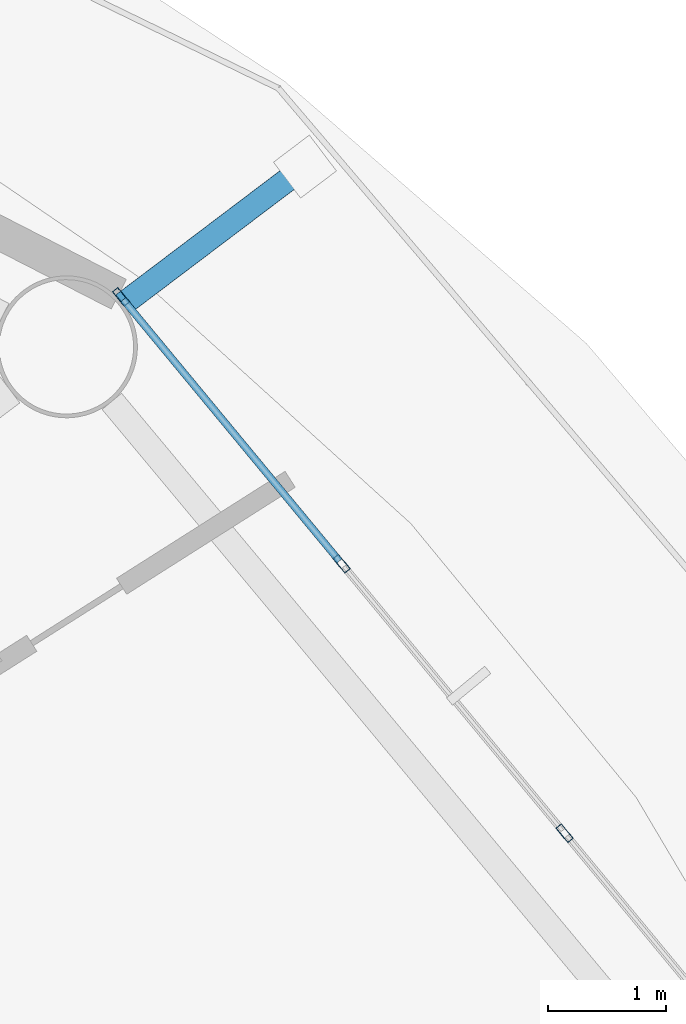
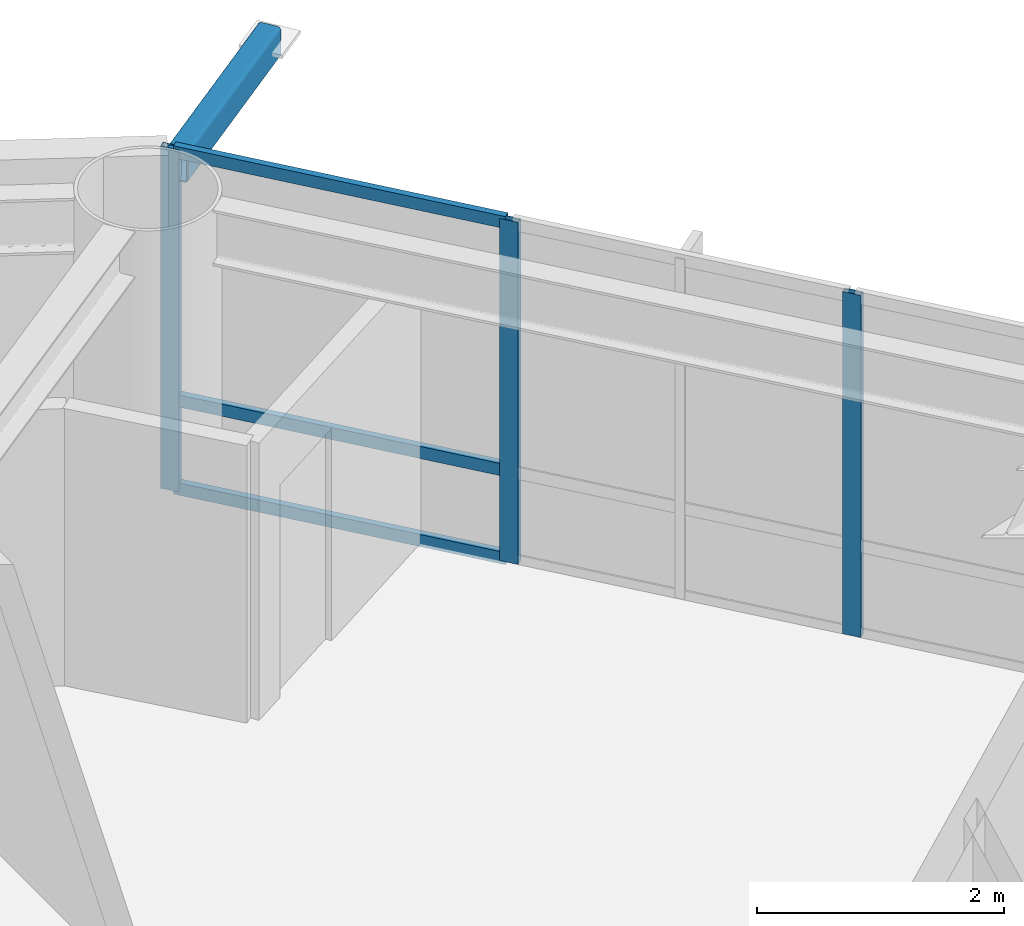
# One storey, part 15 of 27: 7 members, 1 element without a shape of its own.
"""IFC4 building model written with IfcOpenShell, lengths in metres."""

from ifc_helpers import new_model, si_unit, direction, frame, origin, origin_2d, place, context, subcontext, project, spatial, hollow_rectangle, extrude, material, layer, layer_set, material_profile, profile_set, type_object, element, aggregate, save


model = new_model("IFC4")

# Units and contexts
model_context = context("Model", 3, precision=1e-05, world=origin(), true_north=direction((0.0, 1.0)))
body_context = subcontext(model_context, "Body", "Model", "MODEL_VIEW")
ifc_project = project(units=[si_unit("LENGTHUNIT", "METRE"), si_unit("AREAUNIT", "SQUARE_METRE"), si_unit("VOLUMEUNIT", "CUBIC_METRE"), si_unit("PLANEANGLEUNIT", "RADIAN"), si_unit("MASSUNIT", "GRAM", prefix="KILO")], contexts=[model_context])

# Site, building, storey
site_placement = place(None, origin())
site = spatial("IfcSite", under=ifc_project, at=site_placement, CompositionType="ELEMENT")
building_placement = place(site_placement, origin())
building = spatial("IfcBuilding", under=site, at=building_placement, Name="Sarneth Arch Tower", CompositionType="ELEMENT")
storey_placement = place(building_placement, frame((0.0, 0.0, 186.60009765625)))
storey = spatial("IfcBuildingStorey", under=building, at=storey_placement, Name="L47", CompositionType="ELEMENT", Elevation=186.60009765625)

# Curtain wall, members
ifc_material_1 = material(Name="Anodised aluminium Type AA25 and solar-control low-e laminated IGU", Category="aluminium")
ifc_layer = layer(ifc_material_1, 0.169921875)
ifc_layer_set = layer_set([ifc_layer], Name="Anodised aluminium Type AA25 and solar-control low-e laminated IGU")
curtain_wall_type = type_object("IfcCurtainWallType", Name="CW-RES-MID", PredefinedType="NOTDEFINED", material=ifc_layer_set)
curtain_wall_placement = place(storey_placement, origin())
curtain_wall = element("IfcCurtainWall", 1, at=curtain_wall_placement, inside=storey, type_object=curtain_wall_type, Name="L47 Unitised curtain wall facet 02", PredefinedType="NOTDEFINED")
ifc_material_2 = material(Name="Anodised Aluminium 6063-T6", Category="aluminium")
ifc_material_profile_1 = material_profile(ifc_material_2, hollow_rectangle(XDim=0.06005859375, YDim=0.159912109375, WallThickness=0.00390625, at=origin_2d()), Name="AL-MULL-160x60x4")
ifc_profile_set_1 = profile_set([ifc_material_profile_1], Name="Anodised Aluminium 6063-T6")
member_type_1 = type_object("IfcMemberType", Name="CW-MULLION", PredefinedType="MULLION", material=ifc_profile_set_1)
member_1_placement = place(storey_placement, frame((71.346923828125, 52.3466796875, 0.0), z_axis=(0.0, 0.0, 1.0), x_axis=(-0.770590741276, -0.637330298558, 0.0)))
member_1 = element("IfcMember", 2, at=member_1_placement, type_object=member_type_1, Name="CW-SYS-5 mullion 2", PredefinedType="MULLION", context=body_context, shape_type="SweptSolid", body=[
    extrude(hollow_rectangle(XDim=0.06005859375, YDim=0.159912109375, WallThickness=0.00390625, at=origin_2d()), origin(), (0.0, 0.0, 1.0), 3.3798828125),
])
member_2_placement = place(storey_placement, frame((69.46142578125, 54.626220703125, 0.0), z_axis=(0.0, 0.0, 1.0), x_axis=(-0.770590741276, -0.637330298558, 0.0)))
member_2 = element("IfcMember", 3, at=member_2_placement, type_object=member_type_1, Name="CW-SYS-5 mullion 3", PredefinedType="MULLION", context=body_context, shape_type="SweptSolid", body=[
    extrude(hollow_rectangle(XDim=0.06005859375, YDim=0.159912109375, WallThickness=0.00390625, at=origin_2d()), origin(), (0.0, 0.0, 1.0), 3.3798828125),
])
member_3_placement = place(storey_placement, frame((67.59521484375, 56.8828125, 0.0), z_axis=(0.0, 0.0, 1.0), x_axis=(-0.770590741276, -0.637330298558, 0.0)))
member_3 = element("IfcMember", 4, at=member_3_placement, type_object=member_type_1, Name="CW-SYS-5 mullion 4", PredefinedType="MULLION", context=body_context, shape_type="SweptSolid", body=[
    extrude(hollow_rectangle(XDim=0.06005859375, YDim=0.159912109375, WallThickness=0.00390625, at=origin_2d()), origin(), (0.0, 0.0, 1.0), 3.3798828125),
])
ifc_material_3 = material(Name="Anodised Aluminium 6063-T6", Category="aluminium")
ifc_material_profile_2 = material_profile(ifc_material_3, hollow_rectangle(XDim=0.06005859375, YDim=0.1201171875, WallThickness=0.00390625, at=origin_2d()), Name="AL-TRAN-120x60x4")
ifc_profile_set_2 = profile_set([ifc_material_profile_2], Name="Anodised Aluminium 6063-T6")
member_type_2 = type_object("IfcMemberType", Name="CW-TRANSOM", PredefinedType="USERDEFINED", material=ifc_profile_set_2)
member_4_placement = place(storey_placement, frame((69.4423828125, 54.6494140625, 0.02978515625), z_axis=(-0.637358651504, 0.770567290607, 0.0), x_axis=(-0.770567290607, -0.637358651504, 0.0)))
member_4 = element("IfcMember", 5, at=member_4_placement, type_object=member_type_2, Name="CW-SYS-5 transom 3.1", ObjectType="TRANSOM", PredefinedType="USERDEFINED", context=body_context, shape_type="SweptSolid", body=[
    extrude(hollow_rectangle(XDim=0.06005859375, YDim=0.1201171875, WallThickness=0.00390625, at=origin_2d()), origin(), (0.0, 0.0, 1.0), 2.8681640625),
])
member_5_placement = place(storey_placement, frame((69.4423828125, 54.6494140625, 0.89990234375), z_axis=(-0.637358651504, 0.770567290607, 0.0), x_axis=(-0.770567290607, -0.637358651504, 0.0)))
member_5 = element("IfcMember", 6, at=member_5_placement, type_object=member_type_2, Name="CW-SYS-5 transom 3.2", ObjectType="TRANSOM", PredefinedType="USERDEFINED", context=body_context, shape_type="SweptSolid", body=[
    extrude(hollow_rectangle(XDim=0.06005859375, YDim=0.1201171875, WallThickness=0.00390625, at=origin_2d()), origin(), (0.0, 0.0, 1.0), 2.8681640625),
])
member_6_placement = place(storey_placement, frame((69.4423828125, 54.6494140625, 3.349853515625), z_axis=(-0.637358651504, 0.770567290607, 0.0), x_axis=(-0.770567290607, -0.637358651504, 0.0)))
member_6 = element("IfcMember", 7, at=member_6_placement, type_object=member_type_2, Name="CW-SYS-5 transom 3.3", ObjectType="TRANSOM", PredefinedType="USERDEFINED", context=body_context, shape_type="SweptSolid", body=[
    extrude(hollow_rectangle(XDim=0.06005859375, YDim=0.1201171875, WallThickness=0.00390625, at=origin_2d()), origin(), (0.0, 0.0, 1.0), 2.8681640625),
])
aggregate(curtain_wall, [member_1, member_2, member_3, member_4, member_5, member_6])

# Member
ifc_material_4 = material(Name="Steel S355", Category="steel")
ifc_material_profile_3 = material_profile(ifc_material_4, hollow_rectangle(XDim=0.199951171875, YDim=0.300048828125, WallThickness=0.012451171875, InnerFilletRadius=0.018798828125, OuterFilletRadius=0.03125, at=origin_2d()), Name="RHS300x200x12.5")
ifc_profile_set_3 = profile_set([ifc_material_profile_3], Name="Steel S355")
member_type_3 = type_object("IfcMemberType", Name="MEM-CANT-STRUT", PredefinedType="STRUT", material=ifc_profile_set_3)
member_7_placement = place(storey_placement, frame((67.612548828125, 56.822021484375, 3.219970703125), z_axis=(0.797715767172, 0.603033626596, 0.0), x_axis=(-0.603033626596, 0.797715767172, 0.0)))
element("IfcMember", 8, at=member_7_placement, inside=storey, type_object=member_type_3, Name="L47 Balcony cantilever bracket 03", PredefinedType="STRUT", context=body_context, shape_type="SweptSolid", body=[
    extrude(hollow_rectangle(XDim=0.199951171875, YDim=0.300048828125, WallThickness=0.012451171875, InnerFilletRadius=0.018798828125, OuterFilletRadius=0.03125, at=origin_2d()), origin(), (0.0, 0.0, 1.0), 1.9287109375),
])

save(model, "model.ifc")
